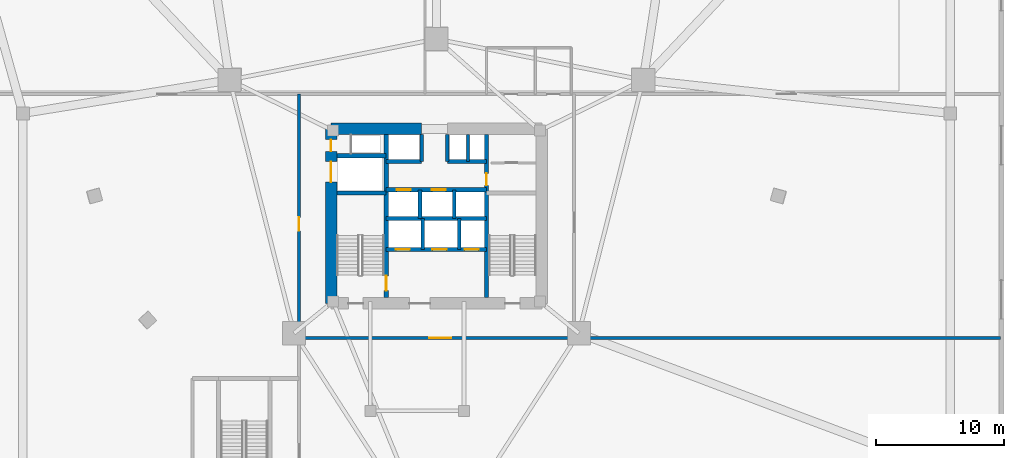
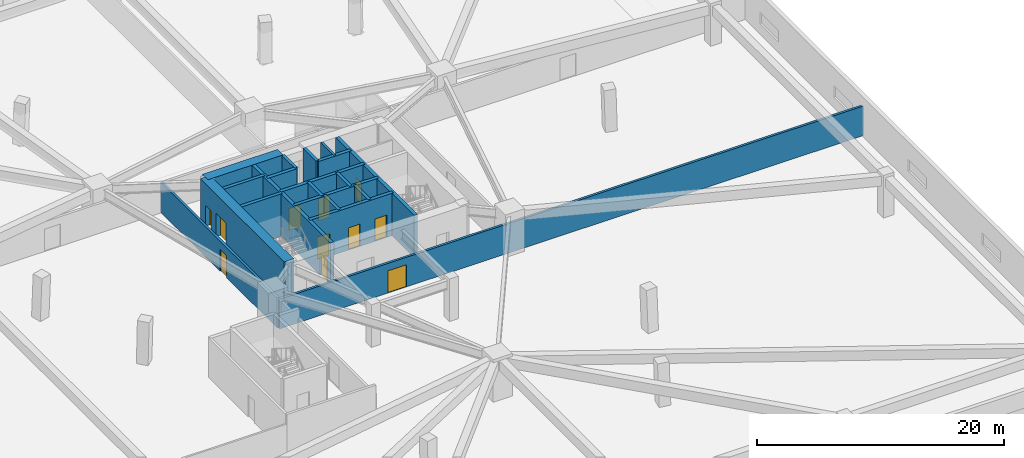
# One storey, part 5 of 10: 20 walls, 11 doors, 11 openings.
"""IFC4 building model written with IfcOpenShell, lengths in metres."""

import ifcopenshell
import ifcopenshell.guid

model = None  # the IFC model being written
_history = None  # IfcOwnerHistory: only IFC2X3 demands one
_inside = {}  # id of a spatial element -> (the spatial element, [elements in it])
_under = {}  # id of a project, library or spatial element -> (it, [spatial elements below it])
_declared = {}  # id of a project -> (the project, [libraries it declares])
_typed = {}  # id of a type object -> (the type object, [elements of that type])
_made_of = {}  # id of a material, layer set ... -> (it, [elements and type objects made of it])


def new_model(schema):
    """Start an empty IFC model of exactly this schema.

    Asked for "IFC4X3", IfcOpenShell would pick the latest addendum, in which some entities
    have other attributes; the version numbers below select the first issue.
    IFC2X3 requires an IfcOwnerHistory on every rooted entity: one is made here for all.
    """
    global model, _history
    if schema == "IFC4X3":
        model = ifcopenshell.file(schema_version=(4, 3, 0, 0))
    else:
        model = ifcopenshell.file(schema=schema)
    _inside.clear()
    _under.clear()
    _declared.clear()
    _typed.clear()
    _made_of.clear()
    _history = None
    if model.schema == "IFC2X3":
        org = make("IfcOrganization", Name="unknown")
        user = make(
            "IfcPersonAndOrganization",
            ThePerson=make("IfcPerson", FamilyName="unknown"),
            TheOrganization=org,
        )
        app = make(
            "IfcApplication",
            ApplicationDeveloper=org,
            Version="unknown",
            ApplicationFullName="unknown",
            ApplicationIdentifier="unknown",
        )
        _history = make(
            "IfcOwnerHistory",
            OwningUser=user,
            OwningApplication=app,
            ChangeAction="ADDED",
            CreationDate=0,
        )
    return model


def make(cls, **values):
    """One entity of the class cls with the attributes given. An attribute that is None is left unset."""
    return model.create_entity(
        cls, **{name: value for name, value in values.items() if value is not None}
    )


def rooted(cls, **values):
    """An entity with a GlobalId (a new one), such as an element, a storey or a relation."""
    return make(cls, GlobalId=ifcopenshell.guid.new(), OwnerHistory=_history, **values)


def si_unit(unit_type, name, prefix=None):
    """IfcSIUnit, for example si_unit("LENGTHUNIT", "METRE", prefix="MILLI")."""
    return make("IfcSIUnit", UnitType=unit_type, Prefix=prefix, Name=name)


def assignment(units):
    """IfcUnitAssignment: the units of a project."""
    return None if units is None else make("IfcUnitAssignment", Units=units)


def point(xyz):
    """IfcCartesianPoint."""
    return None if xyz is None else make("IfcCartesianPoint", Coordinates=xyz)


def direction(xyz):
    """IfcDirection."""
    return None if xyz is None else make("IfcDirection", DirectionRatios=xyz)


def frame(location, z_axis=None, x_axis=None):
    """IfcAxis2Placement3D, a coordinate frame: its origin and axes. An axis left out is left unset."""
    return make(
        "IfcAxis2Placement3D",
        Location=point(location),
        Axis=direction(z_axis),
        RefDirection=direction(x_axis),
    )


def frame_2d(location, x_axis=None):
    """IfcAxis2Placement2D, a coordinate frame in the plane: its origin and x axis."""
    return make(
        "IfcAxis2Placement2D", Location=point(location), RefDirection=direction(x_axis)
    )


def origin():
    """The frame at (0, 0, 0) with its axes left unset."""
    return frame((0.0, 0.0, 0.0))


def place(relative_to, where):
    """IfcLocalPlacement: puts the frame where relative to a parent placement (None: the world)."""
    return make(
        "IfcLocalPlacement", PlacementRelTo=relative_to, RelativePlacement=where
    )


def context(
    kind, dimensions, precision=None, world=None, true_north=None, identifier=None
):
    """IfcGeometricRepresentationContext, for example the 3D "Model" context."""
    return make(
        "IfcGeometricRepresentationContext",
        ContextIdentifier=identifier,
        ContextType=kind,
        CoordinateSpaceDimension=dimensions,
        Precision=precision,
        WorldCoordinateSystem=world,
        TrueNorth=true_north,
    )


def subcontext(parent, identifier, kind, view, scale=None):
    """IfcGeometricRepresentationSubContext, for example "Body" below "Model"."""
    return make(
        "IfcGeometricRepresentationSubContext",
        ContextIdentifier=identifier,
        ContextType=kind,
        ParentContext=parent,
        TargetScale=scale,
        TargetView=view,
    )


def project(units=None, contexts=None):
    """IfcProject with its units and contexts."""
    return rooted(
        "IfcProject",
        Name="project",
        RepresentationContexts=contexts,
        UnitsInContext=assignment(units),
    )


def spatial(cls, under=None, at=None, **own):
    """A site, building, storey or space (cls), placed at a placement, below another one or the project."""
    s = rooted(cls, ObjectPlacement=at, **own)
    if under is not None:
        _under.setdefault(under.id(), (under, []))[1].append(s)
    return s


def profile(cls, at=None, kind="AREA", **sizes):
    """A parametric profile (cls). Its sizes go by their IFC names, for example OverallWidth=200.0."""
    return make(cls, ProfileType=kind, Position=at, **sizes)


def rectangle(**sizes):
    """IfcRectangleProfileDef."""
    return profile("IfcRectangleProfileDef", **sizes)


def extrude(swept, where, along, depth):
    """IfcExtrudedAreaSolid: the profile swept, set in the frame where, extruded along a direction by depth."""
    return make(
        "IfcExtrudedAreaSolid",
        SweptArea=swept,
        Position=where,
        ExtrudedDirection=direction(along),
        Depth=depth,
    )


def shape(context_of_items, identifier, shape_type, items):
    """IfcShapeRepresentation: the items that make up one representation, for example the "Body"."""
    return make(
        "IfcShapeRepresentation",
        ContextOfItems=context_of_items,
        RepresentationIdentifier=identifier,
        RepresentationType=shape_type,
        Items=items,
    )


def material(Name=None, Category=None):
    """IfcMaterial."""
    return make("IfcMaterial", Name=Name, Category=Category)


def layer(
    of_material, thickness, ventilated=None, Name=None, Category=None, Priority=None
):
    """IfcMaterialLayer: one layer of a wall or slab, of a material (None: an air gap)."""
    return make(
        "IfcMaterialLayer",
        Material=of_material,
        LayerThickness=thickness,
        IsVentilated=ventilated,
        Name=Name,
        Category=Category,
        Priority=Priority,
    )


def layer_set(layers, Name=None):
    """IfcMaterialLayerSet."""
    return make("IfcMaterialLayerSet", MaterialLayers=layers, LayerSetName=Name)


def made_of(thing, what):
    """Note that an element or type object is made of a material, layer set ...; save() writes the relation."""
    if what is not None:
        _made_of.setdefault(what.id(), (what, []))[1].append(thing)
    return thing


def type_object(cls, material=None, **own):
    """A type object (cls), such as IfcWallType, which elements share."""
    return made_of(rooted(cls, **own), material)


def element(
    cls,
    number,
    at=None,
    inside=None,
    cuts=None,
    type_object=None,
    material=None,
    context=None,
    identifier="Body",
    shape_type=None,
    held_by="IfcProductDefinitionShape",
    body=None,
    shapes=None,
    **own,
):
    """One element of the class cls, such as IfcWall. Its Tag is "e" and its number.

    at: its placement. inside: the storey or other place that contains it. cuts: it is an
    opening in that element (IfcRelVoidsElement). A single representation is given by context,
    identifier, shape_type and body (its items); several are given by shapes. held_by: the class
    of the entity that holds the representations. save() writes the other relations.
    """
    e = rooted(cls, Tag="e%d" % number, ObjectPlacement=at, **own)
    if body is not None:
        shapes = [shape(context, identifier, shape_type, body)]
    if shapes is not None:
        e.Representation = make(held_by, Representations=shapes)
    if inside is not None:
        _inside.setdefault(inside.id(), (inside, []))[1].append(e)
    if cuts is not None:
        rooted(
            "IfcRelVoidsElement", RelatingBuildingElement=cuts, RelatedOpeningElement=e
        )
    if type_object is not None:
        _typed.setdefault(type_object.id(), (type_object, []))[1].append(e)
    return made_of(e, material)


def fill(opening, filler):
    """IfcRelFillsElement: the door or window that sits in an opening."""
    return rooted(
        "IfcRelFillsElement",
        RelatingOpeningElement=opening,
        RelatedBuildingElement=filler,
    )


def aggregate(whole, parts):
    """IfcRelAggregates: a whole, such as a stair, and the parts it consists of."""
    return rooted("IfcRelAggregates", RelatingObject=whole, RelatedObjects=parts)


def save(model, path):
    """Write the relations noted so far, then the file.

    IfcRelAggregates (storeys below a building ...), IfcRelContainedInSpatialStructure (elements
    in a storey), IfcRelDefinesByType, IfcRelAssociatesMaterial and IfcRelDeclares: one each for
    every whole, place, type object, material and project.
    """
    for whole, parts in _under.values():
        aggregate(whole, parts)
    for where, things in _inside.values():
        rooted(
            "IfcRelContainedInSpatialStructure",
            RelatedElements=things,
            RelatingStructure=where,
        )
    for kind, things in _typed.values():
        rooted("IfcRelDefinesByType", RelatedObjects=things, RelatingType=kind)
    for what, things in _made_of.values():
        rooted("IfcRelAssociatesMaterial", RelatedObjects=things, RelatingMaterial=what)
    for by, libraries in _declared.values():
        rooted("IfcRelDeclares", RelatingContext=by, RelatedDefinitions=libraries)
    model.write(path)


model = new_model("IFC4")

# Units and contexts
model_context = context("Model", 3, precision=1e-05, world=origin(), true_north=direction((0.0, 1.0)))
body_context = subcontext(model_context, "Body", "Model", "MODEL_VIEW")
ifc_project = project(units=[si_unit("LENGTHUNIT", "METRE"), si_unit("AREAUNIT", "SQUARE_METRE"), si_unit("VOLUMEUNIT", "CUBIC_METRE"), si_unit("PLANEANGLEUNIT", "RADIAN"), si_unit("MASSUNIT", "GRAM", prefix="KILO")], contexts=[model_context])

# Site, building, storey
site_placement = place(None, origin())
site = spatial("IfcSite", under=ifc_project, at=site_placement, CompositionType="ELEMENT")
building_placement = place(site_placement, origin())
building = spatial("IfcBuilding", under=site, at=building_placement, Name="Talyreon Biosciences Tower", CompositionType="ELEMENT")
storey_placement = place(building_placement, frame((0.0, 0.0, 14.39990234375)))
storey = spatial("IfcBuildingStorey", under=building, at=storey_placement, Name="L03", CompositionType="ELEMENT", Elevation=14.39990234375)

# Walls
ifc_material_1 = material(Name="Concrete C50/60", Category="concrete")
ifc_layer_1 = layer(ifc_material_1, 0.219970703125)
ifc_layer_set_1 = layer_set([ifc_layer_1], Name="Concrete C50/60")
wall_type_1 = type_object("IfcWallType", Name="CoreShearWall_220", PredefinedType="SHEAR", material=ifc_layer_set_1)
wall_1_placement = place(storey_placement, frame((68.4599609375, 72.25, 0.0), z_axis=(0.0, 0.0, 1.0), x_axis=(0.0, 1.0, 0.0)))
element("IfcWall", 1, at=wall_1_placement, inside=storey, type_object=wall_type_1, Name="L03 Core Shaft Wall SWPHD", PredefinedType="SHEAR", context=body_context, shape_type="SweptSolid", body=[
    extrude(rectangle(XDim=2.10009765625, YDim=0.219970703125, at=frame_2d((1.050048828125, 0.0))), origin(), (0.0, 0.0, 1.0), 4.2001953125),
])
ifc_layer_2 = layer(ifc_material_1, 0.280029296875)
ifc_layer_set_2 = layer_set([ifc_layer_2], Name="Concrete C50/60")
wall_type_2 = type_object("IfcWallType", Name="CoreShearWall_280", PredefinedType="SHEAR", material=ifc_layer_set_2)
wall_2_placement = place(storey_placement, frame((64.919921875, 65.39990234375, 0.0), z_axis=(0.0, 0.0, 1.0), x_axis=(0.0, 1.0, 0.0)))
element("IfcWall", 2, at=wall_2_placement, inside=storey, type_object=wall_type_2, Name="L03 Core Shaft Wall SWSHD1", PredefinedType="SHEAR", context=body_context, shape_type="SweptSolid", body=[
    extrude(rectangle(XDim=2.400146484375, YDim=0.280029296875, at=frame_2d((1.2001953125, 0.0))), origin(), (0.0, 0.0, 1.0), 4.2001953125),
])
for number, where, z_axis, x_axis, name in (
    (3, (64.85009765625, 72.25, 0.0), (0.0, 0.0, 1.0), (0.0, 1.0, 0.0), "L03 Core Shaft Wall SWTHW"),
    (4, (66.85009765625, 72.25, 0.0), (0.0, 0.0, 1.0), (0.0, 1.0, 0.0), "L03 Core Shaft Wall SWTHE"),
):
    element("IfcWall", number, at=place(storey_placement, frame(where, z_axis=z_axis, x_axis=x_axis)), inside=storey, type_object=wall_type_2, Name=name, PredefinedType="SHEAR", context=body_context, shape_type="SweptSolid", body=[
        extrude(rectangle(XDim=2.10009765625, YDim=0.280029296875, at=frame_2d((1.050048828125, 0.0))), origin(), (0.0, 0.0, 1.0), 4.2001953125),
    ])
wall_3_placement = place(storey_placement, frame((67.780029296875, 65.39990234375, 0.0), z_axis=(0.0, 0.0, 1.0), x_axis=(0.0, 1.0, 0.0)))
element("IfcWall", 5, at=wall_3_placement, inside=storey, type_object=wall_type_2, Name="L03 Core Shaft Wall SWSHD2", PredefinedType="SHEAR", context=body_context, shape_type="SweptSolid", body=[
    extrude(rectangle(XDim=2.400146484375, YDim=0.280029296875, at=frame_2d((1.2001953125, 0.0))), origin(), (0.0, 0.0, 1.0), 4.2001953125),
])
for number, where, z_axis, x_axis, name in (
    (6, (64.719970703125, 67.800048828125, 0.0), (0.0, 0.0, 1.0), (0.0, 1.0, 0.0), "L03 Core Shaft Wall SWPLD"),
    (7, (67.3798828125, 67.800048828125, 0.0), (0.0, 0.0, 1.0), (0.0, 1.0, 0.0), "L03 Core Shaft Wall SWPMD"),
):
    element("IfcWall", number, at=place(storey_placement, frame(where, z_axis=z_axis, x_axis=x_axis)), inside=storey, type_object=wall_type_2, Name=name, PredefinedType="SHEAR", context=body_context, shape_type="SweptSolid", body=[
        extrude(rectangle(XDim=2.25, YDim=0.280029296875, at=frame_2d((1.125, 0.0))), origin(), (0.0, 0.0, 1.0), 4.2001953125),
    ])

# Wall, opening, door
ifc_layer_3 = layer(ifc_material_1, 0.320068359375)
ifc_layer_set_3 = layer_set([ifc_layer_3], Name="Concrete C50/60")
wall_type_3 = type_object("IfcWallType", Name="CoreShearWall_320", PredefinedType="SHEAR", material=ifc_layer_set_3)
wall_4_placement = place(storey_placement, frame((62.090087890625, 61.64990234375, 0.0), z_axis=(0.0, 0.0, 1.0), x_axis=(0.0, 1.0, 0.0)))
wall_4 = element("IfcWall", 8, at=wall_4_placement, inside=storey, type_object=wall_type_3, Name="L03 Core Shaft Wall SW1E", PredefinedType="SHEAR", context=body_context, shape_type="SweptSolid", body=[
    extrude(rectangle(XDim=12.7001953125, YDim=0.320068359375, at=frame_2d((6.35009765625, 0.0))), origin(), (0.0, 0.0, 1.0), 4.2001953125),
])
opening_1_placement = place(wall_4_placement, frame((0.550048828125, 0.0, 0.0)))
opening_1 = element("IfcOpeningElement", 9, at=opening_1_placement, cuts=wall_4, Name="Opening DR-L03-FF-ST1", PredefinedType="OPENING", context=body_context, shape_type="SweptSolid", body=[
    extrude(rectangle(XDim=1.14990234375, YDim=2.14990234375, at=frame_2d((0.574951171875, 1.074951171875))), frame((0.0, 0.169921875, 0.0), z_axis=(0.0, -1.0, 0.0), x_axis=(1.0, 0.0, 0.0)), (0.0, 0.0, 1.0), 0.340087890625),
])
ifc_material_2 = material(Name="Painted steel fire door", Category="steel")
door_type_1 = type_object("IfcDoorType", Name="StairShaftFireDoor_1150x2150", OperationType="NOTDEFINED", PredefinedType="DOOR", material=ifc_material_2)
door_1_placement = place(opening_1_placement, origin())
door_1 = element("IfcDoor", 10, at=door_1_placement, inside=storey, type_object=door_type_1, Name="L03 Core Door DR-L03-FF-ST1", OperationType="SINGLE_SWING_LEFT", OverallHeight=2.14990234375, OverallWidth=1.14990234375, PredefinedType="DOOR", context=body_context, shape_type="SweptSolid", body=[
    extrude(rectangle(XDim=1.14990234375, YDim=2.14990234375, at=frame_2d((0.574951171875, 1.074951171875))), frame((0.0, 0.02490234375, 0.0), z_axis=(0.0, -1.0, 0.0), x_axis=(1.0, 0.0, 0.0)), (0.0, 0.0, 1.0), 0.050048828125),
])
fill(opening_1, door_1)

wall_5_placement = place(storey_placement, frame((69.909912109375, 61.64990234375, 0.0), z_axis=(0.0, 0.0, 1.0), x_axis=(0.0, 1.0, 0.0)))
wall_5 = element("IfcWall", 11, at=wall_5_placement, inside=storey, type_object=wall_type_3, Name="L03 Core Shaft Wall SW2W", PredefinedType="SHEAR", context=body_context, shape_type="SweptSolid", body=[
    extrude(rectangle(XDim=12.7001953125, YDim=0.320068359375, at=frame_2d((6.35009765625, 0.0))), origin(), (0.0, 0.0, 1.0), 4.2001953125),
])
opening_2_placement = place(wall_5_placement, frame((8.75, 0.0, 0.0)))
opening_2 = element("IfcOpeningElement", 12, at=opening_2_placement, cuts=wall_5, Name="Opening DR-L03-CSRV", PredefinedType="OPENING", context=body_context, shape_type="SweptSolid", body=[
    extrude(rectangle(XDim=0.919921875, YDim=2.050048828125, at=frame_2d((0.4599609375, 1.02490234375))), frame((0.0, 0.169921875, 0.0), z_axis=(0.0, -1.0, 0.0), x_axis=(1.0, 0.0, 0.0)), (0.0, 0.0, 1.0), 0.340087890625),
])
ifc_material_3 = material(Name="Painted steel fire-rated riser door", Category="steel")
door_type_2 = type_object("IfcDoorType", Name="RiserPlantAccessDoor_920x2050", OperationType="NOTDEFINED", PredefinedType="DOOR", material=ifc_material_3)
door_2_placement = place(opening_2_placement, origin())
door_2 = element("IfcDoor", 13, at=door_2_placement, inside=storey, type_object=door_type_2, Name="L03 Core Door DR-L03-CSRV", OperationType="SINGLE_SWING_RIGHT", OverallHeight=2.050048828125, OverallWidth=0.919921875, PredefinedType="DOOR", context=body_context, shape_type="SweptSolid", body=[
    extrude(rectangle(XDim=0.919921875, YDim=2.050048828125, at=frame_2d((0.4599609375, 1.02490234375))), frame((0.0, 0.02490234375, 0.0), z_axis=(0.0, -1.0, 0.0), x_axis=(1.0, 0.0, 0.0)), (0.0, 0.0, 1.0), 0.050048828125),
])
fill(opening_2, door_2)

# Walls
for number, where, z_axis, x_axis, name in (
    (14, (58.25, 69.81005859375, 0.0), (0.0, 0.0, 1.0), (1.0, 0.0, 0.0), "L03 Core Shaft Wall SW1N"),
    (15, (58.25, 72.699951171875, 0.0), (0.0, 0.0, 1.0), (1.0, 0.0, 0.0), "L03 Core Shaft Wall SWGLN"),
):
    element("IfcWall", number, at=place(storey_placement, frame(where, z_axis=z_axis, x_axis=x_axis)), inside=storey, type_object=wall_type_3, Name=name, PredefinedType="SHEAR", context=body_context, shape_type="SweptSolid", body=[
        extrude(rectangle(XDim=3.840087890625, YDim=0.320068359375, at=frame_2d((1.919921875, 0.0))), origin(), (0.0, 0.0, 1.0), 4.2001953125),
    ])
wall_6_placement = place(storey_placement, frame((62.090087890625, 67.800048828125, 0.0), z_axis=(0.0, 0.0, 1.0), x_axis=(1.0, 0.0, 0.0)))
element("IfcWall", 16, at=wall_6_placement, inside=storey, type_object=wall_type_3, Name="L03 Core Shaft Wall SWSHM", PredefinedType="SHEAR", context=body_context, shape_type="SweptSolid", body=[
    extrude(rectangle(XDim=7.81982421875, YDim=0.320068359375, at=frame_2d((3.909912109375, 0.0))), origin(), (0.0, 0.0, 1.0), 4.2001953125),
])

# Wall, openings, doors
wall_7_placement = place(storey_placement, frame((62.090087890625, 70.050048828125, 0.0), z_axis=(0.0, 0.0, 1.0), x_axis=(1.0, 0.0, 0.0)))
wall_7 = element("IfcWall", 17, at=wall_7_placement, inside=storey, type_object=wall_type_3, Name="L03 Core Shaft Wall SWSPN", PredefinedType="SHEAR", context=body_context, shape_type="SweptSolid", body=[
    extrude(rectangle(XDim=7.81982421875, YDim=0.320068359375, at=frame_2d((3.909912109375, 0.0))), origin(), (0.0, 0.0, 1.0), 4.2001953125),
])
opening_3_placement = place(wall_7_placement, frame((0.800048828125, 0.0, 0.0)))
opening_3 = element("IfcOpeningElement", 18, at=opening_3_placement, cuts=wall_7, Name="Opening LD-L03-PL1", PredefinedType="OPENING", context=body_context, shape_type="SweptSolid", body=[
    extrude(rectangle(XDim=1.10009765625, YDim=2.199951171875, at=frame_2d((0.550048828125, 1.10009765625))), frame((0.0, 0.169921875, 0.0), z_axis=(0.0, -1.0, 0.0), x_axis=(1.0, 0.0, 0.0)), (0.0, 0.0, 1.0), 0.340087890625),
])
opening_4_placement = place(wall_7_placement, frame((3.550048828125, 0.0, 0.0)))
opening_4 = element("IfcOpeningElement", 19, at=opening_4_placement, cuts=wall_7, Name="Opening LD-L03-PL2", PredefinedType="OPENING", context=body_context, shape_type="SweptSolid", body=[
    extrude(rectangle(XDim=1.10009765625, YDim=2.199951171875, at=frame_2d((0.550048828125, 1.10009765625))), frame((0.0, 0.169921875, 0.0), z_axis=(0.0, -1.0, 0.0), x_axis=(1.0, 0.0, 0.0)), (0.0, 0.0, 1.0), 0.340087890625),
])
ifc_material_4 = material(Name="Brushed stainless-steel lift landing door", Category="steel")
door_type_3 = type_object("IfcDoorType", Name="LiftSlidingLandingDoor_1100x2200", OperationType="SLIDING_TO_LEFT", PredefinedType="DOOR", material=ifc_material_4)
door_3_placement = place(opening_3_placement, origin())
door_3 = element("IfcDoor", 20, at=door_3_placement, inside=storey, type_object=door_type_3, Name="L03 Core Door LD-L03-PL1", OperationType="SLIDING_TO_LEFT", OverallHeight=2.199951171875, OverallWidth=1.10009765625, PredefinedType="DOOR", context=body_context, shape_type="SweptSolid", body=[
    extrude(rectangle(XDim=1.10009765625, YDim=2.199951171875, at=frame_2d((0.550048828125, 1.10009765625))), frame((0.0, 0.02490234375, 0.0), z_axis=(0.0, -1.0, 0.0), x_axis=(1.0, 0.0, 0.0)), (0.0, 0.0, 1.0), 0.050048828125),
])
fill(opening_3, door_3)
door_4_placement = place(opening_4_placement, origin())
door_4 = element("IfcDoor", 21, at=door_4_placement, inside=storey, type_object=door_type_3, Name="L03 Core Door LD-L03-PL2", OperationType="SLIDING_TO_LEFT", OverallHeight=2.199951171875, OverallWidth=1.10009765625, PredefinedType="DOOR", context=body_context, shape_type="SweptSolid", body=[
    extrude(rectangle(XDim=1.10009765625, YDim=2.199951171875, at=frame_2d((0.550048828125, 1.10009765625))), frame((0.0, 0.02490234375, 0.0), z_axis=(0.0, -1.0, 0.0), x_axis=(1.0, 0.0, 0.0)), (0.0, 0.0, 1.0), 0.050048828125),
])
fill(opening_4, door_4)

# Walls
wall_8_placement = place(storey_placement, frame((62.090087890625, 72.25, 0.0), z_axis=(0.0, 0.0, 1.0), x_axis=(1.0, 0.0, 0.0)))
element("IfcWall", 22, at=wall_8_placement, inside=storey, type_object=wall_type_3, Name="L03 Core Shaft Wall SWNPW", PredefinedType="SHEAR", context=body_context, shape_type="SweptSolid", body=[
    extrude(rectangle(XDim=2.760009765625, YDim=0.320068359375, at=frame_2d((1.3798828125, 0.0))), origin(), (0.0, 0.0, 1.0), 4.2001953125),
])
wall_9_placement = place(storey_placement, frame((66.85009765625, 72.25, 0.0), z_axis=(0.0, 0.0, 1.0), x_axis=(1.0, 0.0, 0.0)))
element("IfcWall", 23, at=wall_9_placement, inside=storey, type_object=wall_type_3, Name="L03 Core Shaft Wall SWNPE", PredefinedType="SHEAR", context=body_context, shape_type="SweptSolid", body=[
    extrude(rectangle(XDim=3.059814453125, YDim=0.320068359375, at=frame_2d((1.52978515625, 0.0))), origin(), (0.0, 0.0, 1.0), 4.2001953125),
])

# Wall, openings, doors
wall_10_placement = place(storey_placement, frame((62.090087890625, 65.39990234375, 0.0), z_axis=(0.0, 0.0, 1.0), x_axis=(1.0, 0.0, 0.0)))
wall_10 = element("IfcWall", 24, at=wall_10_placement, inside=storey, type_object=wall_type_3, Name="L03 Core Shaft Wall SWFFN", PredefinedType="SHEAR", context=body_context, shape_type="SweptSolid", body=[
    extrude(rectangle(XDim=7.81982421875, YDim=0.320068359375, at=frame_2d((3.909912109375, 0.0))), origin(), (0.0, 0.0, 1.0), 4.2001953125),
])
opening_5_placement = place(wall_10_placement, frame((6.10009765625, 0.0, 0.0)))
opening_5 = element("IfcOpeningElement", 25, at=opening_5_placement, cuts=wall_10, Name="Opening LD-L03-PK1", PredefinedType="OPENING", context=body_context, shape_type="SweptSolid", body=[
    extrude(rectangle(XDim=1.10009765625, YDim=2.199951171875, at=frame_2d((0.550048828125, 1.10009765625))), frame((0.0, 0.169921875, 0.0), z_axis=(0.0, -1.0, 0.0), x_axis=(1.0, 0.0, 0.0)), (0.0, 0.0, 1.0), 0.340087890625),
])
opening_6_placement = place(wall_10_placement, frame((0.75, 0.0, 0.0)))
opening_6 = element("IfcOpeningElement", 26, at=opening_6_placement, cuts=wall_10, Name="Opening LD-L03-FL1", PredefinedType="OPENING", context=body_context, shape_type="SweptSolid", body=[
    extrude(rectangle(XDim=1.10009765625, YDim=2.199951171875, at=frame_2d((0.550048828125, 1.10009765625))), frame((0.0, 0.169921875, 0.0), z_axis=(0.0, -1.0, 0.0), x_axis=(1.0, 0.0, 0.0)), (0.0, 0.0, 1.0), 0.340087890625),
])
opening_7_placement = place(wall_10_placement, frame((3.60009765625, 0.0, 0.0)))
opening_7 = element("IfcOpeningElement", 27, at=opening_7_placement, cuts=wall_10, Name="Opening LD-L03-FL2", PredefinedType="OPENING", context=body_context, shape_type="SweptSolid", body=[
    extrude(rectangle(XDim=1.10009765625, YDim=2.199951171875, at=frame_2d((0.550048828125, 1.10009765625))), frame((0.0, 0.169921875, 0.0), z_axis=(0.0, -1.0, 0.0), x_axis=(1.0, 0.0, 0.0)), (0.0, 0.0, 1.0), 0.340087890625),
])
door_5_placement = place(opening_5_placement, origin())
door_5 = element("IfcDoor", 28, at=door_5_placement, inside=storey, type_object=door_type_3, Name="L03 Core Door LD-L03-PK1", OperationType="SLIDING_TO_LEFT", OverallHeight=2.199951171875, OverallWidth=1.10009765625, PredefinedType="DOOR", context=body_context, shape_type="SweptSolid", body=[
    extrude(rectangle(XDim=1.10009765625, YDim=2.199951171875, at=frame_2d((0.550048828125, 1.10009765625))), frame((0.0, 0.02490234375, 0.0), z_axis=(0.0, -1.0, 0.0), x_axis=(1.0, 0.0, 0.0)), (0.0, 0.0, 1.0), 0.050048828125),
])
fill(opening_5, door_5)
door_6_placement = place(opening_6_placement, origin())
door_6 = element("IfcDoor", 29, at=door_6_placement, inside=storey, type_object=door_type_3, Name="L03 Core Door LD-L03-FL1", OperationType="SLIDING_TO_LEFT", OverallHeight=2.199951171875, OverallWidth=1.10009765625, PredefinedType="DOOR", context=body_context, shape_type="SweptSolid", body=[
    extrude(rectangle(XDim=1.10009765625, YDim=2.199951171875, at=frame_2d((0.550048828125, 1.10009765625))), frame((0.0, 0.02490234375, 0.0), z_axis=(0.0, -1.0, 0.0), x_axis=(1.0, 0.0, 0.0)), (0.0, 0.0, 1.0), 0.050048828125),
])
fill(opening_6, door_6)
door_7_placement = place(opening_7_placement, origin())
door_7 = element("IfcDoor", 30, at=door_7_placement, inside=storey, type_object=door_type_3, Name="L03 Core Door LD-L03-FL2", OperationType="SLIDING_TO_LEFT", OverallHeight=2.199951171875, OverallWidth=1.10009765625, PredefinedType="DOOR", context=body_context, shape_type="SweptSolid", body=[
    extrude(rectangle(XDim=1.10009765625, YDim=2.199951171875, at=frame_2d((0.550048828125, 1.10009765625))), frame((0.0, 0.02490234375, 0.0), z_axis=(0.0, -1.0, 0.0), x_axis=(1.0, 0.0, 0.0)), (0.0, 0.0, 1.0), 0.050048828125),
])
fill(opening_7, door_7)

# Wall
ifc_material_5 = material(Name="Concrete C60/75", Category="concrete")
ifc_layer_4 = layer(ifc_material_5, 0.89990234375)
ifc_layer_set_4 = layer_set([ifc_layer_4], Name="Concrete C60/75")
wall_type_4 = type_object("IfcWallType", Name="CoreShearWall_900", PredefinedType="SHEAR", material=ifc_layer_set_4)
wall_11_placement = place(storey_placement, frame((64.85009765625, 74.800048828125, 0.0), z_axis=(0.0, 0.0, 1.0), x_axis=(-1.0, 0.0, 0.0)))
element("IfcWall", 31, at=wall_11_placement, inside=storey, type_object=wall_type_4, Name="L03 Core Shear Wall NW", PredefinedType="SHEAR", context=body_context, shape_type="SweptSolid", body=[
    extrude(rectangle(XDim=7.050048828125, YDim=0.89990234375, at=frame_2d((3.52490234375, 0.0))), origin(), (0.0, 0.0, 1.0), 4.2001953125),
])

# Wall, openings, doors
wall_12_placement = place(storey_placement, frame((57.800048828125, 74.800048828125, 0.0), z_axis=(0.0, 0.0, 1.0), x_axis=(0.0, -1.0, 0.0)))
wall_12 = element("IfcWall", 32, at=wall_12_placement, inside=storey, type_object=wall_type_4, Name="L03 Core Shear Wall W", PredefinedType="SHEAR", context=body_context, shape_type="SweptSolid", body=[
    extrude(rectangle(XDim=13.60009765625, YDim=0.89990234375, at=frame_2d((6.800048828125, 0.0))), origin(), (0.0, 0.0, 1.0), 4.2001953125),
])
opening_8_placement = place(wall_12_placement, frame((0.85009765625, 0.0, 0.0)))
opening_8 = element("IfcOpeningElement", 33, at=opening_8_placement, cuts=wall_12, Name="Opening DR-L03-RSW", PredefinedType="OPENING", context=body_context, shape_type="SweptSolid", body=[
    extrude(rectangle(XDim=0.919921875, YDim=2.050048828125, at=frame_2d((0.4599609375, 1.02490234375))), frame((0.0, 0.4599609375, 0.0), z_axis=(0.0, -1.0, 0.0), x_axis=(1.0, 0.0, 0.0)), (0.0, 0.0, 1.0), 0.919921875),
])
opening_9_placement = place(wall_12_placement, frame((2.550048828125, 0.0, 0.0)))
opening_9 = element("IfcOpeningElement", 34, at=opening_9_placement, cuts=wall_12, Name="Opening LD-L03-GL1", PredefinedType="OPENING", context=body_context, shape_type="SweptSolid", body=[
    extrude(rectangle(XDim=1.60009765625, YDim=2.300048828125, at=frame_2d((0.800048828125, 1.14990234375))), frame((0.0, 0.4599609375, 0.0), z_axis=(0.0, -1.0, 0.0), x_axis=(1.0, 0.0, 0.0)), (0.0, 0.0, 1.0), 0.919921875),
])
ifc_material_6 = material(Name="Heavy-duty stainless-steel goods lift door", Category="steel")
door_type_4 = type_object("IfcDoorType", Name="GoodsLiftSlidingDoor_1600x2300", OperationType="DOUBLE_DOOR_SLIDING", PredefinedType="DOOR", material=ifc_material_6)
door_8_placement = place(opening_9_placement, origin())
door_8 = element("IfcDoor", 35, at=door_8_placement, inside=storey, type_object=door_type_4, Name="L03 Core Door LD-L03-GL1", OperationType="DOUBLE_DOOR_SLIDING", OverallHeight=2.300048828125, OverallWidth=1.60009765625, PredefinedType="DOOR", context=body_context, shape_type="SweptSolid", body=[
    extrude(rectangle(XDim=1.60009765625, YDim=2.300048828125, at=frame_2d((0.800048828125, 1.14990234375))), frame((0.0, 0.02490234375, 0.0), z_axis=(0.0, -1.0, 0.0), x_axis=(1.0, 0.0, 0.0)), (0.0, 0.0, 1.0), 0.050048828125),
])
fill(opening_9, door_8)
door_9_placement = place(opening_8_placement, origin())
door_9 = element("IfcDoor", 36, at=door_9_placement, inside=storey, type_object=door_type_2, Name="L03 Core Door DR-L03-RSW", OperationType="SINGLE_SWING_LEFT", OverallHeight=2.050048828125, OverallWidth=0.919921875, PredefinedType="DOOR", context=body_context, shape_type="SweptSolid", body=[
    extrude(rectangle(XDim=0.919921875, YDim=2.050048828125, at=frame_2d((0.4599609375, 1.02490234375))), frame((0.0, 0.02490234375, 0.0), z_axis=(0.0, -1.0, 0.0), x_axis=(1.0, 0.0, 0.0)), (0.0, 0.0, 1.0), 0.050048828125),
])
fill(opening_8, door_9)

# Wall, opening, door
ifc_material_7 = material(Name="Gypsum fireboard acoustic stud", Category="gypsum")
ifc_layer_5 = layer(ifc_material_7, 0.219970703125)
ifc_layer_set_5 = layer_set([ifc_layer_5], Name="Gypsum fireboard acoustic stud")
wall_type_5 = type_object("IfcWallType", Name="CorridorRatedPartition_220", PredefinedType="PARTITIONING", material=ifc_layer_set_5)
wall_13_placement = place(storey_placement, frame((55.300048828125, 58.5, 0.0), z_axis=(0.0, 0.0, 1.0), x_axis=(1.0, 0.0, 0.0)))
wall_13 = element("IfcWall", 37, at=wall_13_placement, inside=storey, type_object=wall_type_5, Name="L03 Interior Wall IW-L03-S", PredefinedType="PARTITIONING", context=body_context, shape_type="SweptSolid", body=[
    extrude(rectangle(XDim=54.614990234375, YDim=0.219970703125, at=frame_2d((27.3076171875, 0.0))), origin(), (0.0, 0.0, 1.0), 2.93017578125),
])
opening_10_placement = place(wall_13_placement, frame((10.14990234375, 0.0, 0.0)))
opening_10 = element("IfcOpeningElement", 38, at=opening_10_placement, cuts=wall_13, Name="Opening DR-L03-SW1", PredefinedType="OPENING", context=body_context, shape_type="SweptSolid", body=[
    extrude(rectangle(XDim=1.699951171875, YDim=2.199951171875, at=frame_2d((0.85009765625, 1.10009765625))), frame((0.0, 0.119873046875, 0.0), z_axis=(0.0, -1.0, 0.0), x_axis=(1.0, 0.0, 0.0)), (0.0, 0.0, 1.0), 0.239990234375),
])
ifc_material_8 = material(Name="Acoustic oak seminar double door", Category="wood")
door_type_5 = type_object("IfcDoorType", Name="MeetingSeminarDoubleDoor_1700x2200", OperationType="DOUBLE_DOOR_SINGLE_SWING", PredefinedType="DOOR", material=ifc_material_8)
door_10_placement = place(opening_10_placement, origin())
door_10 = element("IfcDoor", 39, at=door_10_placement, inside=storey, type_object=door_type_5, Name="L03 Interior Door DR-L03-SW1", OperationType="DOUBLE_DOOR_SINGLE_SWING", OverallHeight=2.199951171875, OverallWidth=1.699951171875, PredefinedType="DOOR", context=body_context, shape_type="SweptSolid", body=[
    extrude(rectangle(XDim=1.699951171875, YDim=2.199951171875, at=frame_2d((0.85009765625, 1.10009765625))), frame((0.0, 0.02490234375, 0.0), z_axis=(0.0, -1.0, 0.0), x_axis=(1.0, 0.0, 0.0)), (0.0, 0.0, 1.0), 0.050048828125),
])
fill(opening_10, door_10)

wall_14_placement = place(storey_placement, frame((55.300048828125, 58.6201171875, 0.0), z_axis=(0.0, 0.0, 1.0), x_axis=(0.0, 1.0, 0.0)))
wall_14 = element("IfcWall", 40, at=wall_14_placement, inside=storey, type_object=wall_type_5, Name="L03 Interior Wall IW-L03-W", PredefinedType="PARTITIONING", context=body_context, shape_type="SweptSolid", body=[
    extrude(rectangle(XDim=18.8798828125, YDim=0.219970703125, at=frame_2d((9.43994140625, 0.0))), origin(), (0.0, 0.0, 1.0), 2.97998046875),
])
opening_11_placement = place(wall_14_placement, frame((8.22509765625, 0.0, 0.0)))
opening_11 = element("IfcOpeningElement", 41, at=opening_11_placement, cuts=wall_14, Name="Opening DR-L03-WW", PredefinedType="OPENING", context=body_context, shape_type="SweptSolid", body=[
    extrude(rectangle(XDim=1.050048828125, YDim=2.14990234375, at=frame_2d((0.52490234375, 1.074951171875))), frame((0.0, 0.119873046875, 0.0), z_axis=(0.0, -1.0, 0.0), x_axis=(1.0, 0.0, 0.0)), (0.0, 0.0, 1.0), 0.239990234375),
])
ifc_material_9 = material(Name="Acoustic timber-core laboratory door", Category="wood")
door_type_6 = type_object("IfcDoorType", Name="DryLabSingleDoor_1050x2150", OperationType="NOTDEFINED", PredefinedType="DOOR", material=ifc_material_9)
door_11_placement = place(opening_11_placement, origin())
door_11 = element("IfcDoor", 42, at=door_11_placement, inside=storey, type_object=door_type_6, Name="L03 Interior Door DR-L03-WW", OperationType="SINGLE_SWING_RIGHT", OverallHeight=2.14990234375, OverallWidth=1.050048828125, PredefinedType="DOOR", context=body_context, shape_type="SweptSolid", body=[
    extrude(rectangle(XDim=1.050048828125, YDim=2.14990234375, at=frame_2d((0.52490234375, 1.074951171875))), frame((0.0, 0.02490234375, 0.0), z_axis=(0.0, -1.0, 0.0), x_axis=(1.0, 0.0, 0.0)), (0.0, 0.0, 1.0), 0.050048828125),
])
fill(opening_11, door_11)

save(model, "model.ifc")
